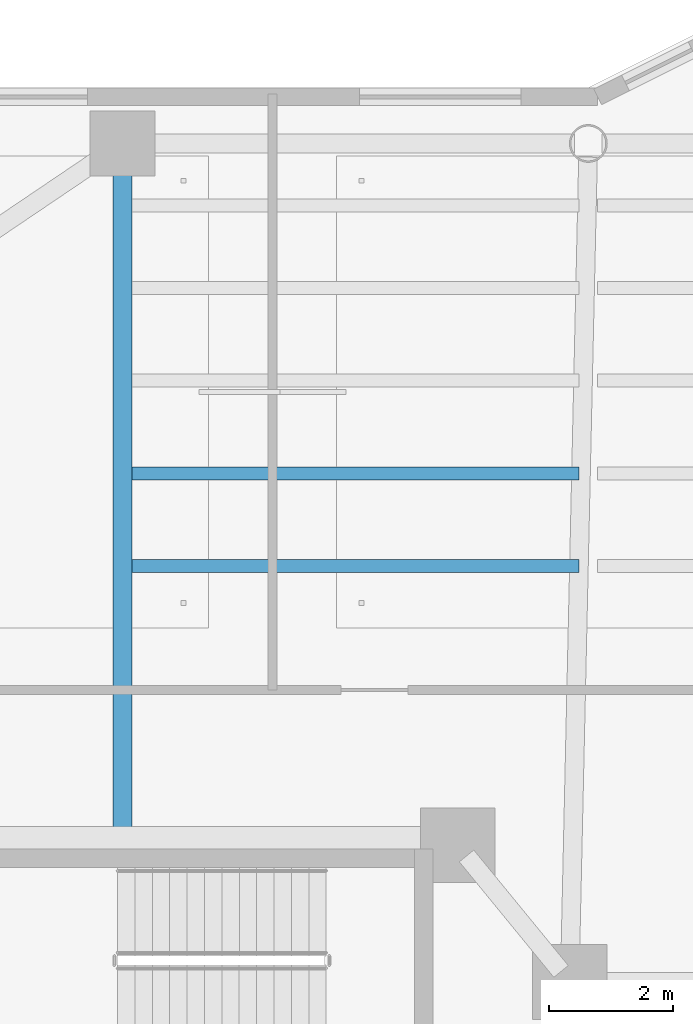
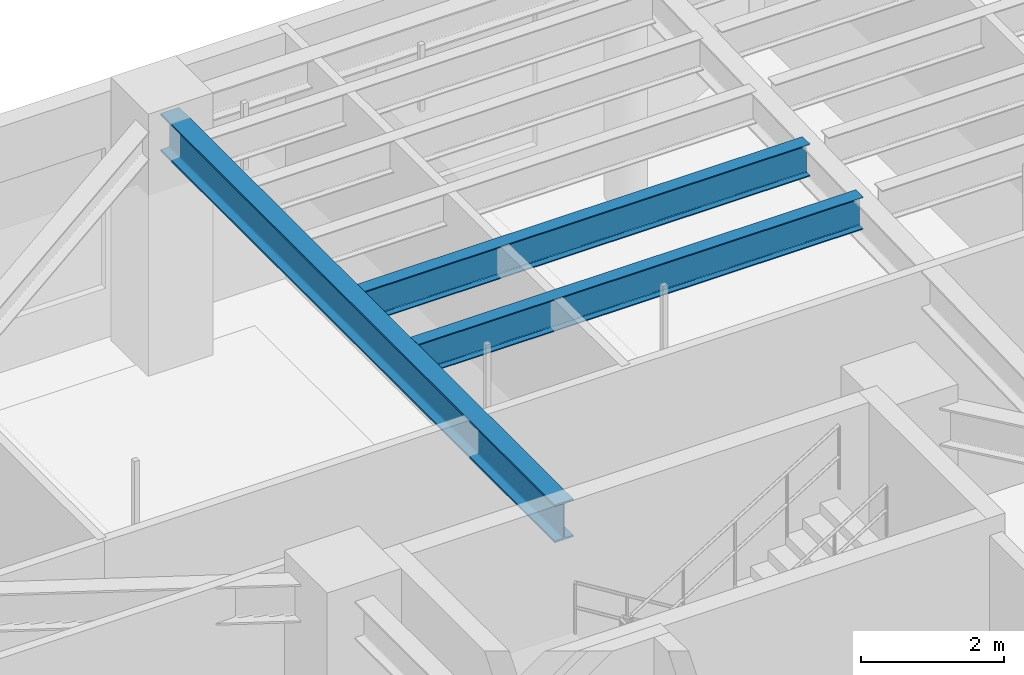
# One storey, part 20 of 38: 3 beams.
"""IFC4 building model written with IfcOpenShell, lengths in metres."""

from ifc_helpers import new_model, si_unit, direction, frame, origin, origin_2d, place, context, subcontext, project, spatial, i_section, extrude, material, material_profile, profile_set, type_object, element, save


model = new_model("IFC4")

# Units and contexts
model_context = context("Model", 3, precision=1e-05, world=origin(), true_north=direction((0.0, 1.0)))
body_context = subcontext(model_context, "Body", "Model", "MODEL_VIEW")
ifc_project = project(units=[si_unit("LENGTHUNIT", "METRE"), si_unit("AREAUNIT", "SQUARE_METRE"), si_unit("VOLUMEUNIT", "CUBIC_METRE"), si_unit("PLANEANGLEUNIT", "RADIAN"), si_unit("MASSUNIT", "GRAM", prefix="KILO")], contexts=[model_context])

# Site, building, storey
site_placement = place(None, origin())
site = spatial("IfcSite", under=ifc_project, at=site_placement, CompositionType="ELEMENT")
building_placement = place(site_placement, origin())
building = spatial("IfcBuilding", under=site, at=building_placement, Name="Tarnavaz Court Tower", CompositionType="ELEMENT")
storey_placement = place(building_placement, frame((0.0, 0.0, 123.0)))
storey = spatial("IfcBuildingStorey", under=building, at=storey_placement, Name="L33", CompositionType="ELEMENT", Elevation=123.0)

# Beams
ifc_material = material(Name="Steel S355", Category="steel")
ifc_material_profile_1 = material_profile(ifc_material, i_section(OverallWidth=0.300048828125, OverallDepth=0.64990234375, WebThickness=0.01611328125, FlangeThickness=0.031005859375, FilletRadius=0.027099609375, at=origin_2d()), Name="HEB 650")
ifc_profile_set_1 = profile_set([ifc_material_profile_1], Name="Steel S355")
beam_type_1 = type_object("IfcBeamType", Name="BM-G-HEB650", PredefinedType="USERDEFINED", material=ifc_profile_set_1)
beam_placement = place(storey_placement, frame((-15.0, 10.0400390625, 3.875), z_axis=(0.0, 1.0, 0.0), x_axis=(-1.0, 0.0, 0.0)))
element("IfcBeam", 1, at=beam_placement, inside=storey, type_object=beam_type_1, Name="L33 Beam RG-01", ObjectType="GIRDER", PredefinedType="USERDEFINED", context=body_context, shape_type="SweptSolid", body=[
    extrude(i_section(OverallWidth=0.300048828125, OverallDepth=0.64990234375, WebThickness=0.01611328125, FlangeThickness=0.031005859375, FilletRadius=0.027099609375, at=origin_2d()), origin(), (0.0, 0.0, 1.0), 11.0400390625),
])
ifc_material_profile_2 = material_profile(ifc_material, i_section(OverallWidth=0.2099609375, OverallDepth=0.550048828125, WebThickness=0.010986328125, FlangeThickness=0.01708984375, FilletRadius=0.02392578125, at=origin_2d()), Name="IPE 550")
ifc_profile_set_2 = profile_set([ifc_material_profile_2], Name="Steel S355")
beam_type_2 = type_object("IfcBeamType", Name="BM-J-IPE550", PredefinedType="JOIST", material=ifc_profile_set_2)
for number, where, z_axis, x_axis, name in (
    (2, (-14.85009765625, 14.493896484375, 3.925048828125), (1.0, 0.0, 0.0), (0.0, 1.0, 0.0), "L33 Beam JN1-1"),
    (3, (-14.85009765625, 15.988037109375, 3.925048828125), (1.0, 0.0, 0.0), (0.0, 1.0, 0.0), "L33 Beam JN2-1"),
):
    element("IfcBeam", number, at=place(storey_placement, frame(where, z_axis=z_axis, x_axis=x_axis)), inside=storey, type_object=beam_type_2, Name=name, PredefinedType="JOIST", context=body_context, shape_type="SweptSolid", body=[
        extrude(i_section(OverallWidth=0.2099609375, OverallDepth=0.550048828125, WebThickness=0.010986328125, FlangeThickness=0.01708984375, FilletRadius=0.02392578125, at=origin_2d()), origin(), (0.0, 0.0, 1.0), 7.2001953125),
    ])

save(model, "model.ifc")
